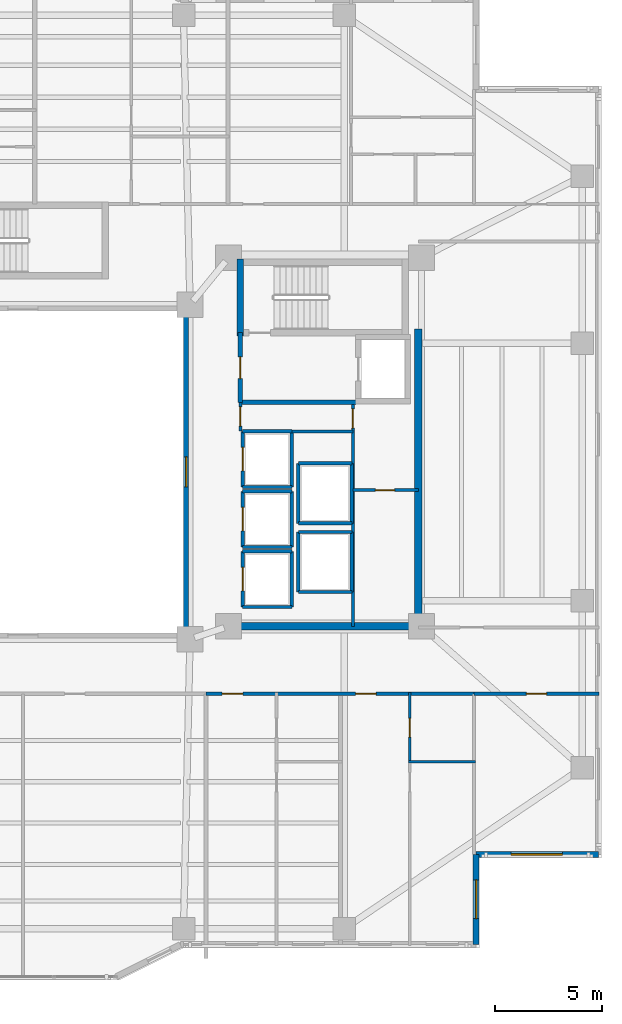
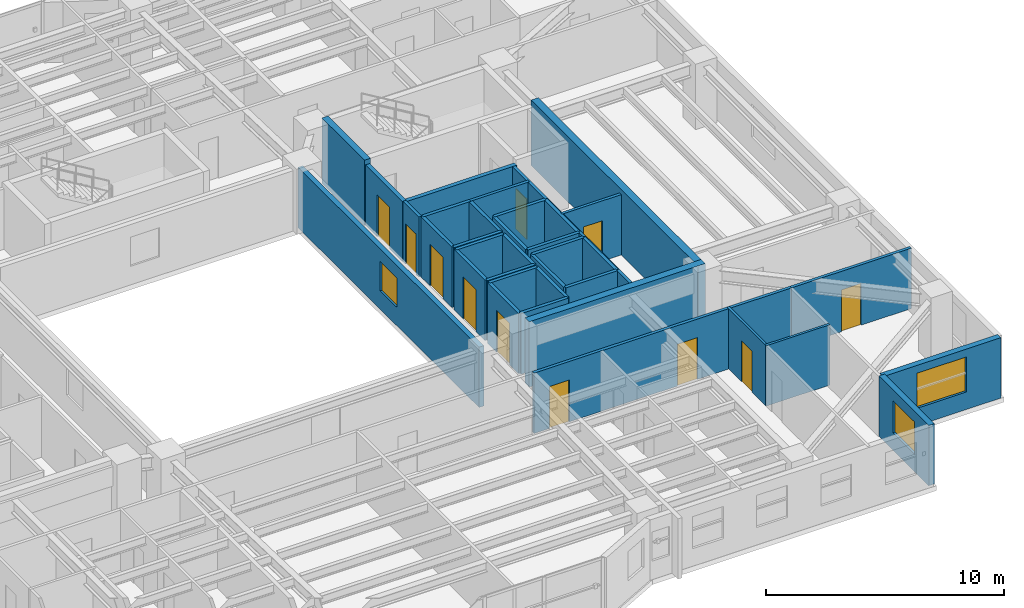
# One storey, part 8 of 18: 36 walls, 11 doors, 3 windows, 14 openings.
"""IFC4 building model written with IfcOpenShell, lengths in metres."""

from ifc_helpers import new_model, si_unit, direction, frame, frame_2d, origin, place, context, subcontext, project, spatial, rectangle, extrude, material, layer, layer_set, type_object, element, fill, save


model = new_model("IFC4")

# Units and contexts
model_context = context("Model", 3, precision=1e-05, world=origin(), true_north=direction((0.0, 1.0)))
body_context = subcontext(model_context, "Body", "Model", "MODEL_VIEW")
ifc_project = project(units=[si_unit("LENGTHUNIT", "METRE"), si_unit("AREAUNIT", "SQUARE_METRE"), si_unit("VOLUMEUNIT", "CUBIC_METRE"), si_unit("PLANEANGLEUNIT", "RADIAN"), si_unit("MASSUNIT", "GRAM", prefix="KILO")], contexts=[model_context])

# Site, building, storey
site_placement = place(None, origin())
site = spatial("IfcSite", under=ifc_project, at=site_placement, CompositionType="ELEMENT")
building_placement = place(site_placement, origin())
building = spatial("IfcBuilding", under=site, at=building_placement, Name="Tarnavaz Court Tower", CompositionType="ELEMENT")
storey_placement = place(building_placement, frame((0.0, 0.0, 98.39990234375)))
storey = spatial("IfcBuildingStorey", under=building, at=storey_placement, Name="L26", CompositionType="ELEMENT", Elevation=98.39990234375)

# Walls
ifc_material_1 = material(Name="Concrete C60/75", Category="concrete")
ifc_layer_1 = layer(ifc_material_1, 0.300048828125)
ifc_layer_set_1 = layer_set([ifc_layer_1], Name="Concrete C60/75")
wall_type_1 = type_object("IfcWallType", Name="WL-CORE-300-C60", PredefinedType="SHEAR", material=ifc_layer_set_1)
wall_1_placement = place(storey_placement, frame((10.14990234375, 6.35009765625, 0.0), z_axis=(0.0, 0.0, 1.0), x_axis=(0.0, 1.0, 0.0)))
element("IfcWall", 1, at=wall_1_placement, inside=storey, type_object=wall_type_1, Name="L26 East Stair Core Wall 007", PredefinedType="SHEAR", context=body_context, shape_type="SweptSolid", body=[
    extrude(rectangle(XDim=3.58984375, YDim=0.300048828125, at=frame_2d((1.794921875, 0.0))), origin(), (0.0, 0.0, 1.0), 3.35009765625),
])
ifc_layer_2 = layer(ifc_material_1, 0.35009765625)
ifc_layer_set_2 = layer_set([ifc_layer_2], Name="Concrete C60/75")
wall_type_2 = type_object("IfcWallType", Name="WL-CORE-350-C60", PredefinedType="SHEAR", material=ifc_layer_set_2)
wall_2_placement = place(storey_placement, frame((18.449951171875, -7.375, 0.0), z_axis=(0.0, 0.0, 1.0), x_axis=(0.0, 1.0, 0.0)))
element("IfcWall", 2, at=wall_2_placement, inside=storey, type_object=wall_type_2, Name="L26 East Core Shear Wall 059", PredefinedType="SHEAR", context=body_context, shape_type="SweptSolid", body=[
    extrude(rectangle(XDim=14.050048828125, YDim=0.35009765625, at=frame_2d((7.02490234375, 0.0))), origin(), (0.0, 0.0, 1.0), 3.35009765625),
])
wall_3_placement = place(storey_placement, frame((10.074951171875, -7.199951171875, 0.0), z_axis=(0.0, 0.0, 1.0), x_axis=(1.0, 0.0, 0.0)))
element("IfcWall", 3, at=wall_3_placement, inside=storey, type_object=wall_type_2, Name="L26 East Core South Shear Wall 060", PredefinedType="SHEAR", context=body_context, shape_type="SweptSolid", body=[
    extrude(rectangle(XDim=8.550048828125, YDim=0.35009765625, at=frame_2d((4.27490234375, 0.0))), origin(), (0.0, 0.0, 1.0), 3.35009765625),
])

# Wall, opening, window
ifc_material_2 = material(Name="Precast Concrete C40/50", Category="concrete")
ifc_layer_3 = layer(ifc_material_2, 0.280029296875)
ifc_layer_set_3 = layer_set([ifc_layer_3], Name="Precast Concrete C40/50")
wall_type_3 = type_object("IfcWallType", Name="WL-EXT-280", PredefinedType="SOLIDWALL", material=ifc_layer_set_3)
wall_4_placement = place(storey_placement, frame((26.85009765625, -17.85009765625, 0.0), z_axis=(0.0, 0.0, 1.0), x_axis=(-1.0, 0.0, 0.0)))
wall_4 = element("IfcWall", 4, at=wall_4_placement, inside=storey, type_object=wall_type_3, Name="L26 Exterior Terracotta Facade Wall 13", PredefinedType="SOLIDWALL", context=body_context, shape_type="SweptSolid", body=[
    extrude(rectangle(XDim=5.7001953125, YDim=0.280029296875, at=frame_2d((2.85009765625, 0.0))), origin(), (0.0, 0.0, 1.0), 3.10009765625),
])
opening_1_placement = place(wall_4_placement, frame((1.675048828125, 0.0, 0.89990234375)))
opening_1 = element("IfcOpeningElement", 5, at=opening_1_placement, cuts=wall_4, Name="Opening W06", PredefinedType="OPENING", context=body_context, shape_type="SweptSolid", body=[
    extrude(rectangle(XDim=2.39990234375, YDim=1.800048828125, at=frame_2d((1.199951171875, 0.89990234375))), frame((0.0, 0.14990234375, 0.0), z_axis=(0.0, -1.0, 0.0), x_axis=(1.0, 0.0, 0.0)), (0.0, 0.0, 1.0), 0.300048828125),
])
ifc_material_3 = material(Name="Double-Glazed Solar Low-E Glass", Category="glass")
window_type_1 = type_object("IfcWindowType", Name="WN-APT-2400", PartitioningType="TRIPLE_PANEL_VERTICAL", PredefinedType="WINDOW", material=ifc_material_3)
window_1_placement = place(opening_1_placement, origin())
window_1 = element("IfcWindow", 6, at=window_1_placement, inside=storey, type_object=window_type_1, Name="L26 South-East Corner Reading Room Window", OverallHeight=1.800048828125, OverallWidth=2.39990234375, PartitioningType="SINGLE_PANEL", PredefinedType="WINDOW", context=body_context, shape_type="SweptSolid", body=[
    extrude(rectangle(XDim=2.39990234375, YDim=1.800048828125, at=frame_2d((1.199951171875, 0.89990234375))), frame((0.0, 0.030029296875, 0.0), z_axis=(0.0, -1.0, 0.0), x_axis=(1.0, 0.0, 0.0)), (0.0, 0.0, 1.0), 0.06005859375),
])
fill(opening_1, window_1)

wall_5_placement = place(storey_placement, frame((21.14990234375, -17.85009765625, 0.0), z_axis=(0.0, 0.0, 1.0), x_axis=(0.0, -1.0, 0.0)))
wall_5 = element("IfcWall", 7, at=wall_5_placement, inside=storey, type_object=wall_type_3, Name="L26 Exterior Terracotta Facade Wall 14", PredefinedType="SOLIDWALL", context=body_context, shape_type="SweptSolid", body=[
    extrude(rectangle(XDim=4.199951171875, YDim=0.280029296875, at=frame_2d((2.10009765625, 0.0))), origin(), (0.0, 0.0, 1.0), 3.10009765625),
])
opening_2_placement = place(wall_5_placement, frame((1.18212890625, 0.0, 0.89990234375)))
opening_2 = element("IfcOpeningElement", 8, at=opening_2_placement, cuts=wall_5, Name="Opening W01", PredefinedType="OPENING", context=body_context, shape_type="SweptSolid", body=[
    extrude(rectangle(XDim=1.800048828125, YDim=1.64990234375, at=frame_2d((0.89990234375, 0.824951171875))), frame((0.0, 0.14990234375, 0.0), z_axis=(0.0, -1.0, 0.0), x_axis=(1.0, 0.0, 0.0)), (0.0, 0.0, 1.0), 0.300048828125),
])
window_type_2 = type_object("IfcWindowType", Name="WN-APT-1800", PartitioningType="DOUBLE_PANEL_VERTICAL", PredefinedType="WINDOW", material=ifc_material_3)
window_2_placement = place(opening_2_placement, origin())
window_2 = element("IfcWindow", 9, at=window_2_placement, inside=storey, type_object=window_type_2, Name="L26 Flat 08 Kitchen Window", OverallHeight=1.64990234375, OverallWidth=1.800048828125, PartitioningType="SINGLE_PANEL", PredefinedType="WINDOW", context=body_context, shape_type="SweptSolid", body=[
    extrude(rectangle(XDim=1.800048828125, YDim=1.64990234375, at=frame_2d((0.89990234375, 0.824951171875))), frame((0.0, 0.030029296875, 0.0), z_axis=(0.0, -1.0, 0.0), x_axis=(1.0, 0.0, 0.0)), (0.0, 0.0, 1.0), 0.06005859375),
])
fill(opening_2, window_2)

# Wall, openings, doors
ifc_material_4 = material(Name="Gypsum Fire-Board on Acoustic Metal Stud", Category="masonry")
ifc_layer_4 = layer(ifc_material_4, 0.14990234375)
ifc_layer_set_4 = layer_set([ifc_layer_4], Name="Gypsum Fire-Board on Acoustic Metal Stud")
wall_type_4 = type_object("IfcWallType", Name="WL-FIRE-150", PredefinedType="PARTITIONING", material=ifc_layer_set_4)
wall_6_placement = place(storey_placement, frame((8.550048828125, -10.35009765625, 0.0), z_axis=(0.0, 0.0, 1.0), x_axis=(1.0, 0.0, 0.0)))
wall_6 = element("IfcWall", 10, at=wall_6_placement, inside=storey, type_object=wall_type_4, Name="L26 SE Horseshoe Wall 074", PredefinedType="PARTITIONING", context=body_context, shape_type="SweptSolid", body=[
    extrude(rectangle(XDim=12.5, YDim=0.14990234375, at=frame_2d((6.25, 0.0))), origin(), (0.0, 0.0, 1.0), 3.10009765625),
])
opening_3_placement = place(wall_6_placement, frame((0.75, 0.0, 0.0)))
opening_3 = element("IfcOpeningElement", 11, at=opening_3_placement, cuts=wall_6, Name="Opening D06", PredefinedType="OPENING", context=body_context, shape_type="SweptSolid", body=[
    extrude(rectangle(XDim=0.9599609375, YDim=2.14990234375, at=frame_2d((0.47998046875, 1.074951171875))), frame((0.0, 0.0849609375, 0.0), z_axis=(0.0, -1.0, 0.0), x_axis=(1.0, 0.0, 0.0)), (0.0, 0.0, 1.0), 0.169921875),
])
opening_4_placement = place(wall_6_placement, frame((6.97509765625, 0.0, 0.0)))
opening_4 = element("IfcOpeningElement", 12, at=opening_4_placement, cuts=wall_6, Name="Opening D06", PredefinedType="OPENING", context=body_context, shape_type="SweptSolid", body=[
    extrude(rectangle(XDim=0.9599609375, YDim=2.14990234375, at=frame_2d((0.47998046875, 1.074951171875))), frame((0.0, 0.0849609375, 0.0), z_axis=(0.0, -1.0, 0.0), x_axis=(1.0, 0.0, 0.0)), (0.0, 0.0, 1.0), 0.169921875),
])
ifc_material_5 = material(Name="Fire-Rated Hardwood Timber Core", Category="wood")
door_type_1 = type_object("IfcDoorType", Name="DR-FD60-950", OperationType="NOTDEFINED", PredefinedType="DOOR", material=ifc_material_5)
door_1_placement = place(opening_3_placement, origin())
door_1 = element("IfcDoor", 13, at=door_1_placement, inside=storey, type_object=door_type_1, Name="L26 Flat 07 Entrance Door", OperationType="SINGLE_SWING_LEFT", OverallHeight=2.14990234375, OverallWidth=0.9599609375, PredefinedType="DOOR", context=body_context, shape_type="SweptSolid", body=[
    extrude(rectangle(XDim=0.9599609375, YDim=2.14990234375, at=frame_2d((0.47998046875, 1.074951171875))), frame((0.0, 0.02490234375, 0.0), z_axis=(0.0, -1.0, 0.0), x_axis=(1.0, 0.0, 0.0)), (0.0, 0.0, 1.0), 0.050048828125),
])
fill(opening_3, door_1)
door_2_placement = place(opening_4_placement, origin())
door_2 = element("IfcDoor", 14, at=door_2_placement, inside=storey, type_object=door_type_1, Name="L26 Flat 08 Entrance Door", OperationType="SINGLE_SWING_RIGHT", OverallHeight=2.14990234375, OverallWidth=0.9599609375, PredefinedType="DOOR", context=body_context, shape_type="SweptSolid", body=[
    extrude(rectangle(XDim=0.9599609375, YDim=2.14990234375, at=frame_2d((0.47998046875, 1.074951171875))), frame((0.0, 0.02490234375, 0.0), z_axis=(0.0, -1.0, 0.0), x_axis=(1.0, 0.0, 0.0)), (0.0, 0.0, 1.0), 0.050048828125),
])
fill(opening_4, door_2)

# Wall, opening, door
wall_7_placement = place(storey_placement, frame((21.050048828125, -10.35009765625, 0.0), z_axis=(0.0, 0.0, 1.0), x_axis=(1.0, 0.0, 0.0)))
wall_7 = element("IfcWall", 15, at=wall_7_placement, inside=storey, type_object=wall_type_4, Name="L26 Interior Partition 123", PredefinedType="PARTITIONING", context=body_context, shape_type="SweptSolid", body=[
    extrude(rectangle(XDim=5.829833984375, YDim=0.14990234375, at=frame_2d((2.9150390625, 0.0))), origin(), (0.0, 0.0, 1.0), 3.10009765625),
])
opening_5_placement = place(wall_7_placement, frame((2.43994140625, 0.0, 0.0)))
opening_5 = element("IfcOpeningElement", 16, at=opening_5_placement, cuts=wall_7, Name="Opening D13", PredefinedType="OPENING", context=body_context, shape_type="SweptSolid", body=[
    extrude(rectangle(XDim=0.949951171875, YDim=2.14990234375, at=frame_2d((0.47509765625, 1.074951171875))), frame((0.0, 0.0849609375, 0.0), z_axis=(0.0, -1.0, 0.0), x_axis=(1.0, 0.0, 0.0)), (0.0, 0.0, 1.0), 0.169921875),
])
ifc_material_6 = material(Name="Engineered Oak Timber", Category="wood")
door_type_2 = type_object("IfcDoorType", Name="DR-INT-950", OperationType="NOTDEFINED", PredefinedType="DOOR", material=ifc_material_6)
door_3_placement = place(opening_5_placement, origin())
door_3 = element("IfcDoor", 17, at=door_3_placement, inside=storey, type_object=door_type_2, Name="L26 SE Reading Room Door", OperationType="SINGLE_SWING_RIGHT", OverallHeight=2.14990234375, OverallWidth=0.949951171875, PredefinedType="DOOR", context=body_context, shape_type="SweptSolid", body=[
    extrude(rectangle(XDim=0.949951171875, YDim=2.14990234375, at=frame_2d((0.47509765625, 1.074951171875))), frame((0.0, 0.02490234375, 0.0), z_axis=(0.0, -1.0, 0.0), x_axis=(1.0, 0.0, 0.0)), (0.0, 0.0, 1.0), 0.050048828125),
])
fill(opening_5, door_3)

# Wall
ifc_material_7 = material(Name="Autoclaved Aerated Concrete Blockwork", Category="masonry")
ifc_layer_5 = layer(ifc_material_7, 0.199951171875)
ifc_layer_set_5 = layer_set([ifc_layer_5], Name="Autoclaved Aerated Concrete Blockwork")
wall_type_5 = type_object("IfcWallType", Name="WL-FIRE-200", PredefinedType="SOLIDWALL", material=ifc_layer_set_5)
wall_8_placement = place(storey_placement, frame((10.14990234375, 3.25, 0.0), z_axis=(0.0, 0.0, 1.0), x_axis=(1.0, 0.0, 0.0)))
element("IfcWall", 18, at=wall_8_placement, inside=storey, type_object=wall_type_5, Name="L26 East Firefighting Lobby Wall 015", PredefinedType="SOLIDWALL", context=body_context, shape_type="SweptSolid", body=[
    extrude(rectangle(XDim=5.400146484375, YDim=0.199951171875, at=frame_2d((2.7001953125, 0.0))), origin(), (0.0, 0.0, 1.0), 3.10009765625),
])

# Wall, opening, door
wall_9_placement = place(storey_placement, frame((10.14990234375, 3.25, 0.0), z_axis=(0.0, 0.0, 1.0), x_axis=(0.0, 1.0, 0.0)))
wall_9 = element("IfcWall", 19, at=wall_9_placement, inside=storey, type_object=wall_type_5, Name="L26 East Firefighting Lobby Wall 016", PredefinedType="SOLIDWALL", context=body_context, shape_type="SweptSolid", body=[
    extrude(rectangle(XDim=3.25, YDim=0.199951171875, at=frame_2d((1.625, 0.0))), origin(), (0.0, 0.0, 1.0), 3.10009765625),
])
opening_6_placement = place(wall_9_placement, frame((1.10009765625, 0.0, 0.0)))
opening_6 = element("IfcOpeningElement", 20, at=opening_6_placement, cuts=wall_9, Name="Opening D05", PredefinedType="OPENING", context=body_context, shape_type="SweptSolid", body=[
    extrude(rectangle(XDim=1.02001953125, YDim=2.14990234375, at=frame_2d((0.510009765625, 1.074951171875))), frame((0.0, 0.10986328125, 0.0), z_axis=(0.0, -1.0, 0.0), x_axis=(1.0, 0.0, 0.0)), (0.0, 0.0, 1.0), 0.219970703125),
])
door_type_3 = type_object("IfcDoorType", Name="DR-FD60-1000", OperationType="NOTDEFINED", PredefinedType="DOOR", material=ifc_material_5)
door_4_placement = place(opening_6_placement, origin())
door_4 = element("IfcDoor", 21, at=door_4_placement, inside=storey, type_object=door_type_3, Name="L26 East Firefighting Lobby Door", OperationType="SINGLE_SWING_LEFT", OverallHeight=2.14990234375, OverallWidth=1.02001953125, PredefinedType="DOOR", context=body_context, shape_type="SweptSolid", body=[
    extrude(rectangle(XDim=1.02001953125, YDim=2.14990234375, at=frame_2d((0.510009765625, 1.074951171875))), frame((0.0, 0.02490234375, 0.0), z_axis=(0.0, -1.0, 0.0), x_axis=(1.0, 0.0, 0.0)), (0.0, 0.0, 1.0), 0.050048828125),
])
fill(opening_6, door_4)

ifc_material_8 = material(Name="Moisture-Resistant Gypsum Board Partition", Category="masonry")
ifc_layer_6 = layer(ifc_material_8, 0.1201171875)
ifc_layer_set_6 = layer_set([ifc_layer_6], Name="Moisture-Resistant Gypsum Board Partition")
wall_type_6 = type_object("IfcWallType", Name="WL-PART-120", PredefinedType="PARTITIONING", material=ifc_layer_set_6)
wall_10_placement = place(storey_placement, frame((18.06005859375, -13.510009765625, 0.0), z_axis=(0.0, 0.0, 1.0), x_axis=(0.0, 1.0, 0.0)))
wall_10 = element("IfcWall", 22, at=wall_10_placement, inside=storey, type_object=wall_type_6, Name="L26 Interior Partition 106", PredefinedType="PARTITIONING", context=body_context, shape_type="SweptSolid", body=[
    extrude(rectangle(XDim=3.219970703125, YDim=0.1201171875, at=frame_2d((1.60986328125, 0.0))), origin(), (0.0, 0.0, 1.0), 3.10009765625),
])
opening_7_placement = place(wall_10_placement, frame((1.139892578125, 0.0, 0.0)))
opening_7 = element("IfcOpeningElement", 23, at=opening_7_placement, cuts=wall_10, Name="Opening D14", PredefinedType="OPENING", context=body_context, shape_type="SweptSolid", body=[
    extrude(rectangle(XDim=0.8798828125, YDim=2.10009765625, at=frame_2d((0.43994140625, 1.050048828125))), frame((0.0, 0.070068359375, 0.0), z_axis=(0.0, -1.0, 0.0), x_axis=(1.0, 0.0, 0.0)), (0.0, 0.0, 1.0), 0.14013671875),
])
door_type_4 = type_object("IfcDoorType", Name="DR-INT-900", OperationType="NOTDEFINED", PredefinedType="DOOR", material=ifc_material_6)
door_5_placement = place(opening_7_placement, origin())
door_5 = element("IfcDoor", 24, at=door_5_placement, inside=storey, type_object=door_type_4, Name="L26 Flat 08 Bathroom Door", OperationType="SINGLE_SWING_RIGHT", OverallHeight=2.10009765625, OverallWidth=0.8798828125, PredefinedType="DOOR", context=body_context, shape_type="SweptSolid", body=[
    extrude(rectangle(XDim=0.8798828125, YDim=2.10009765625, at=frame_2d((0.43994140625, 1.050048828125))), frame((0.0, 0.02490234375, 0.0), z_axis=(0.0, -1.0, 0.0), x_axis=(1.0, 0.0, 0.0)), (0.0, 0.0, 1.0), 0.050048828125),
])
fill(opening_7, door_5)

# Walls
wall_11_placement = place(storey_placement, frame((18.0, -13.510009765625, 0.0), z_axis=(0.0, 0.0, 1.0), x_axis=(1.0, 0.0, 0.0)))
element("IfcWall", 25, at=wall_11_placement, inside=storey, type_object=wall_type_6, Name="L26 Interior Partition 107", PredefinedType="PARTITIONING", context=body_context, shape_type="SweptSolid", body=[
    extrude(rectangle(XDim=3.110107421875, YDim=0.1201171875, at=frame_2d((1.55517578125, 0.0))), origin(), (0.0, 0.0, 1.0), 3.10009765625),
])
ifc_material_9 = material(Name="Gypsum Plasterboard Acoustic Partition", Category="masonry")
ifc_layer_7 = layer(ifc_material_9, 0.139892578125)
ifc_layer_set_7 = layer_set([ifc_layer_7], Name="Gypsum Plasterboard Acoustic Partition")
wall_type_7 = type_object("IfcWallType", Name="WL-PART-150", PredefinedType="PARTITIONING", material=ifc_layer_set_7)
wall_12_placement = place(storey_placement, frame((12.550048828125, 1.89990234375, 0.0), z_axis=(0.0, 0.0, 1.0), x_axis=(1.0, 0.0, 0.0)))
element("IfcWall", 26, at=wall_12_placement, inside=storey, type_object=wall_type_7, Name="L26 Interior Partition 067", PredefinedType="PARTITIONING", context=body_context, shape_type="SweptSolid", body=[
    extrude(rectangle(XDim=2.849853515625, YDim=0.139892578125, at=frame_2d((1.4248046875, 0.0))), origin(), (0.0, 0.0, 1.0), 3.10009765625),
])

# Wall, opening, door
wall_13_placement = place(storey_placement, frame((10.14990234375, 1.919921875, 0.0), z_axis=(0.0, 0.0, 1.0), x_axis=(0.0, 1.0, 0.0)))
wall_13 = element("IfcWall", 27, at=wall_13_placement, inside=storey, type_object=wall_type_7, Name="L26 Interior Partition 068", PredefinedType="PARTITIONING", context=body_context, shape_type="SweptSolid", body=[
    extrude(rectangle(XDim=1.330078125, YDim=0.139892578125, at=frame_2d((0.6650390625, 0.0))), origin(), (0.0, 0.0, 1.0), 3.10009765625),
])
opening_8_placement = place(wall_13_placement, frame((0.219970703125, 0.0, 0.0)))
opening_8 = element("IfcOpeningElement", 28, at=opening_8_placement, cuts=wall_13, Name="Opening D09", PredefinedType="OPENING", context=body_context, shape_type="SweptSolid", body=[
    extrude(rectangle(XDim=0.89990234375, YDim=2.080078125, at=frame_2d((0.449951171875, 1.0400390625))), frame((0.0, 0.079833984375, 0.0), z_axis=(0.0, -1.0, 0.0), x_axis=(1.0, 0.0, 0.0)), (0.0, 0.0, 1.0), 0.159912109375),
])
door_type_5 = type_object("IfcDoorType", Name="DR-FD30-900", OperationType="NOTDEFINED", PredefinedType="DOOR", material=ifc_material_5)
door_6_placement = place(opening_8_placement, origin())
door_6 = element("IfcDoor", 29, at=door_6_placement, inside=storey, type_object=door_type_5, Name="L26 East Core Service Lobby Door", OperationType="SINGLE_SWING_RIGHT", OverallHeight=2.080078125, OverallWidth=0.89990234375, PredefinedType="DOOR", context=body_context, shape_type="SweptSolid", body=[
    extrude(rectangle(XDim=0.89990234375, YDim=2.080078125, at=frame_2d((0.449951171875, 1.0400390625))), frame((0.0, 0.02490234375, 0.0), z_axis=(0.0, -1.0, 0.0), x_axis=(1.0, 0.0, 0.0)), (0.0, 0.0, 1.0), 0.050048828125),
])
fill(opening_8, door_6)

wall_14_placement = place(storey_placement, frame((15.39990234375, -7.199951171875, 0.0), z_axis=(0.0, 0.0, 1.0), x_axis=(0.0, 1.0, 0.0)))
wall_14 = element("IfcWall", 30, at=wall_14_placement, inside=storey, type_object=wall_type_7, Name="L26 Interior Partition 069", PredefinedType="PARTITIONING", context=body_context, shape_type="SweptSolid", body=[
    extrude(rectangle(XDim=10.449951171875, YDim=0.139892578125, at=frame_2d((5.22509765625, 0.0))), origin(), (0.0, 0.0, 1.0), 3.10009765625),
])
opening_9_placement = place(wall_14_placement, frame((9.25, 0.0, 0.0)))
opening_9 = element("IfcOpeningElement", 31, at=opening_9_placement, cuts=wall_14, Name="Opening D09", PredefinedType="OPENING", context=body_context, shape_type="SweptSolid", body=[
    extrude(rectangle(XDim=0.89990234375, YDim=2.080078125, at=frame_2d((0.449951171875, 1.0400390625))), frame((0.0, 0.079833984375, 0.0), z_axis=(0.0, -1.0, 0.0), x_axis=(1.0, 0.0, 0.0)), (0.0, 0.0, 1.0), 0.159912109375),
])
door_7_placement = place(opening_9_placement, origin())
door_7 = element("IfcDoor", 32, at=door_7_placement, inside=storey, type_object=door_type_5, Name="L26 East Wet Riser Door", OperationType="SINGLE_SWING_LEFT", OverallHeight=2.080078125, OverallWidth=0.89990234375, PredefinedType="DOOR", context=body_context, shape_type="SweptSolid", body=[
    extrude(rectangle(XDim=0.89990234375, YDim=2.080078125, at=frame_2d((0.449951171875, 1.0400390625))), frame((0.0, 0.02490234375, 0.0), z_axis=(0.0, -1.0, 0.0), x_axis=(1.0, 0.0, 0.0)), (0.0, 0.0, 1.0), 0.050048828125),
])
fill(opening_9, door_7)

wall_15_placement = place(storey_placement, frame((15.39990234375, -0.85009765625, 0.0), z_axis=(0.0, 0.0, 1.0), x_axis=(1.0, 0.0, 0.0)))
wall_15 = element("IfcWall", 33, at=wall_15_placement, inside=storey, type_object=wall_type_7, Name="L26 Interior Partition 070", PredefinedType="PARTITIONING", context=body_context, shape_type="SweptSolid", body=[
    extrude(rectangle(XDim=3.050048828125, YDim=0.139892578125, at=frame_2d((1.52490234375, 0.0))), origin(), (0.0, 0.0, 1.0), 3.10009765625),
])
opening_10_placement = place(wall_15_placement, frame((1.050048828125, 0.0, 0.0)))
opening_10 = element("IfcOpeningElement", 34, at=opening_10_placement, cuts=wall_15, Name="Opening D09", PredefinedType="OPENING", context=body_context, shape_type="SweptSolid", body=[
    extrude(rectangle(XDim=0.89990234375, YDim=2.080078125, at=frame_2d((0.449951171875, 1.0400390625))), frame((0.0, 0.079833984375, 0.0), z_axis=(0.0, -1.0, 0.0), x_axis=(1.0, 0.0, 0.0)), (0.0, 0.0, 1.0), 0.159912109375),
])
door_8_placement = place(opening_10_placement, origin())
door_8 = element("IfcDoor", 35, at=door_8_placement, inside=storey, type_object=door_type_5, Name="L26 East Electrical Plant Door", OperationType="SINGLE_SWING_RIGHT", OverallHeight=2.080078125, OverallWidth=0.89990234375, PredefinedType="DOOR", context=body_context, shape_type="SweptSolid", body=[
    extrude(rectangle(XDim=0.89990234375, YDim=2.080078125, at=frame_2d((0.449951171875, 1.0400390625))), frame((0.0, 0.02490234375, 0.0), z_axis=(0.0, -1.0, 0.0), x_axis=(1.0, 0.0, 0.0)), (0.0, 0.0, 1.0), 0.050048828125),
])
fill(opening_10, door_8)

ifc_layer_8 = layer(ifc_material_7, 0.159912109375)
ifc_layer_set_8 = layer_set([ifc_layer_8], Name="Autoclaved Aerated Concrete Blockwork")
wall_type_8 = type_object("IfcWallType", Name="WL-SHAFT-150", PredefinedType="SOLIDWALL", material=ifc_layer_set_8)
wall_16_placement = place(storey_placement, frame((10.25, -6.300048828125, 0.0), z_axis=(0.0, 0.0, 1.0), x_axis=(0.0, 1.0, 0.0)))
wall_16 = element("IfcWall", 36, at=wall_16_placement, inside=storey, type_object=wall_type_8, Name="L26 Lift PL-M1 Shaft Wall 037", PredefinedType="SOLIDWALL", context=body_context, shape_type="SweptSolid", body=[
    extrude(rectangle(XDim=2.60009765625, YDim=0.159912109375, at=frame_2d((1.300048828125, 0.0))), origin(), (0.0, 0.0, 1.0), 3.10009765625),
])
opening_11_placement = place(wall_16_placement, frame((0.75, 0.0, 0.0)))
opening_11 = element("IfcOpeningElement", 37, at=opening_11_placement, cuts=wall_16, Name="Opening LD1", PredefinedType="OPENING", context=body_context, shape_type="SweptSolid", body=[
    extrude(rectangle(XDim=1.10009765625, YDim=2.14990234375, at=frame_2d((0.550048828125, 1.074951171875))), frame((0.0, 0.08984375, 0.0), z_axis=(0.0, -1.0, 0.0), x_axis=(1.0, 0.0, 0.0)), (0.0, 0.0, 1.0), 0.179931640625),
])
ifc_material_10 = material(Name="Stainless Steel", Category="steel")
door_type_6 = type_object("IfcDoorType", Name="DR-LD-1100", OperationType="NOTDEFINED", PredefinedType="DOOR", material=ifc_material_10)
door_9_placement = place(opening_11_placement, origin())
door_9 = element("IfcDoor", 38, at=door_9_placement, inside=storey, type_object=door_type_6, Name="L26 Lift Landing Door LD-PL-M1", OperationType="SLIDING_TO_LEFT", OverallHeight=2.14990234375, OverallWidth=1.10009765625, PredefinedType="DOOR", context=body_context, shape_type="SweptSolid", body=[
    extrude(rectangle(XDim=1.10009765625, YDim=2.14990234375, at=frame_2d((0.550048828125, 1.074951171875))), frame((0.0, 0.02490234375, 0.0), z_axis=(0.0, -1.0, 0.0), x_axis=(1.0, 0.0, 0.0)), (0.0, 0.0, 1.0), 0.050048828125),
])
fill(opening_11, door_9)

# Walls
wall_17_placement = place(storey_placement, frame((12.550048828125, -6.300048828125, 0.0), z_axis=(0.0, 0.0, 1.0), x_axis=(0.0, 1.0, 0.0)))
element("IfcWall", 39, at=wall_17_placement, inside=storey, type_object=wall_type_8, Name="L26 Lift PL-M1 Shaft Wall 038", PredefinedType="SOLIDWALL", context=body_context, shape_type="SweptSolid", body=[
    extrude(rectangle(XDim=2.60009765625, YDim=0.159912109375, at=frame_2d((1.300048828125, 0.0))), origin(), (0.0, 0.0, 1.0), 3.10009765625),
])
for number, where, z_axis, x_axis, name in (
    (40, (10.25, -6.300048828125, 0.0), (0.0, 0.0, 1.0), (1.0, 0.0, 0.0), "L26 Lift PL-M1 Shaft Wall 039"),
    (41, (10.25, -3.699951171875, 0.0), (0.0, 0.0, 1.0), (1.0, 0.0, 0.0), "L26 Lift PL-M1 Shaft Wall 040"),
):
    element("IfcWall", number, at=place(storey_placement, frame(where, z_axis=z_axis, x_axis=x_axis)), inside=storey, type_object=wall_type_8, Name=name, PredefinedType="SOLIDWALL", context=body_context, shape_type="SweptSolid", body=[
        extrude(rectangle(XDim=2.300048828125, YDim=0.159912109375, at=frame_2d((1.14990234375, 0.0))), origin(), (0.0, 0.0, 1.0), 3.10009765625),
    ])

# Wall, opening, door
wall_18_placement = place(storey_placement, frame((10.25, -3.5, 0.0), z_axis=(0.0, 0.0, 1.0), x_axis=(0.0, 1.0, 0.0)))
wall_18 = element("IfcWall", 42, at=wall_18_placement, inside=storey, type_object=wall_type_8, Name="L26 Lift PL-M2 Shaft Wall 041", PredefinedType="SOLIDWALL", context=body_context, shape_type="SweptSolid", body=[
    extrude(rectangle(XDim=2.60009765625, YDim=0.159912109375, at=frame_2d((1.300048828125, 0.0))), origin(), (0.0, 0.0, 1.0), 3.10009765625),
])
opening_12_placement = place(wall_18_placement, frame((0.75, 0.0, 0.0)))
opening_12 = element("IfcOpeningElement", 43, at=opening_12_placement, cuts=wall_18, Name="Opening LD1", PredefinedType="OPENING", context=body_context, shape_type="SweptSolid", body=[
    extrude(rectangle(XDim=1.10009765625, YDim=2.14990234375, at=frame_2d((0.550048828125, 1.074951171875))), frame((0.0, 0.08984375, 0.0), z_axis=(0.0, -1.0, 0.0), x_axis=(1.0, 0.0, 0.0)), (0.0, 0.0, 1.0), 0.179931640625),
])
door_10_placement = place(opening_12_placement, origin())
door_10 = element("IfcDoor", 44, at=door_10_placement, inside=storey, type_object=door_type_6, Name="L26 Lift Landing Door LD-PL-M2", OperationType="SLIDING_TO_LEFT", OverallHeight=2.14990234375, OverallWidth=1.10009765625, PredefinedType="DOOR", context=body_context, shape_type="SweptSolid", body=[
    extrude(rectangle(XDim=1.10009765625, YDim=2.14990234375, at=frame_2d((0.550048828125, 1.074951171875))), frame((0.0, 0.02490234375, 0.0), z_axis=(0.0, -1.0, 0.0), x_axis=(1.0, 0.0, 0.0)), (0.0, 0.0, 1.0), 0.050048828125),
])
fill(opening_12, door_10)

# Walls
wall_19_placement = place(storey_placement, frame((12.550048828125, -3.5, 0.0), z_axis=(0.0, 0.0, 1.0), x_axis=(0.0, 1.0, 0.0)))
element("IfcWall", 45, at=wall_19_placement, inside=storey, type_object=wall_type_8, Name="L26 Lift PL-M2 Shaft Wall 042", PredefinedType="SOLIDWALL", context=body_context, shape_type="SweptSolid", body=[
    extrude(rectangle(XDim=2.60009765625, YDim=0.159912109375, at=frame_2d((1.300048828125, 0.0))), origin(), (0.0, 0.0, 1.0), 3.10009765625),
])
for number, where, z_axis, x_axis, name in (
    (46, (10.25, -3.5, 0.0), (0.0, 0.0, 1.0), (1.0, 0.0, 0.0), "L26 Lift PL-M2 Shaft Wall 043"),
    (47, (10.25, -0.89990234375, 0.0), (0.0, 0.0, 1.0), (1.0, 0.0, 0.0), "L26 Lift PL-M2 Shaft Wall 044"),
):
    element("IfcWall", number, at=place(storey_placement, frame(where, z_axis=z_axis, x_axis=x_axis)), inside=storey, type_object=wall_type_8, Name=name, PredefinedType="SOLIDWALL", context=body_context, shape_type="SweptSolid", body=[
        extrude(rectangle(XDim=2.300048828125, YDim=0.159912109375, at=frame_2d((1.14990234375, 0.0))), origin(), (0.0, 0.0, 1.0), 3.10009765625),
    ])

# Wall, opening, door
wall_20_placement = place(storey_placement, frame((10.25, -0.699951171875, 0.0), z_axis=(0.0, 0.0, 1.0), x_axis=(0.0, 1.0, 0.0)))
wall_20 = element("IfcWall", 48, at=wall_20_placement, inside=storey, type_object=wall_type_8, Name="L26 Lift PL-M3 Shaft Wall 045", PredefinedType="SOLIDWALL", context=body_context, shape_type="SweptSolid", body=[
    extrude(rectangle(XDim=2.599853515625, YDim=0.159912109375, at=frame_2d((1.2998046875, 0.0))), origin(), (0.0, 0.0, 1.0), 3.10009765625),
])
opening_13_placement = place(wall_20_placement, frame((0.75, 0.0, 0.0)))
opening_13 = element("IfcOpeningElement", 49, at=opening_13_placement, cuts=wall_20, Name="Opening LD1", PredefinedType="OPENING", context=body_context, shape_type="SweptSolid", body=[
    extrude(rectangle(XDim=1.10009765625, YDim=2.14990234375, at=frame_2d((0.550048828125, 1.074951171875))), frame((0.0, 0.08984375, 0.0), z_axis=(0.0, -1.0, 0.0), x_axis=(1.0, 0.0, 0.0)), (0.0, 0.0, 1.0), 0.179931640625),
])
door_11_placement = place(opening_13_placement, origin())
door_11 = element("IfcDoor", 50, at=door_11_placement, inside=storey, type_object=door_type_6, Name="L26 Lift Landing Door LD-PL-M3", OperationType="SLIDING_TO_LEFT", OverallHeight=2.14990234375, OverallWidth=1.10009765625, PredefinedType="DOOR", context=body_context, shape_type="SweptSolid", body=[
    extrude(rectangle(XDim=1.10009765625, YDim=2.14990234375, at=frame_2d((0.550048828125, 1.074951171875))), frame((0.0, 0.02490234375, 0.0), z_axis=(0.0, -1.0, 0.0), x_axis=(1.0, 0.0, 0.0)), (0.0, 0.0, 1.0), 0.050048828125),
])
fill(opening_13, door_11)

# Walls
wall_21_placement = place(storey_placement, frame((12.550048828125, -0.699951171875, 0.0), z_axis=(0.0, 0.0, 1.0), x_axis=(0.0, 1.0, 0.0)))
element("IfcWall", 51, at=wall_21_placement, inside=storey, type_object=wall_type_8, Name="L26 Lift PL-M3 Shaft Wall 046", PredefinedType="SOLIDWALL", context=body_context, shape_type="SweptSolid", body=[
    extrude(rectangle(XDim=2.599853515625, YDim=0.159912109375, at=frame_2d((1.2998046875, 0.0))), origin(), (0.0, 0.0, 1.0), 3.10009765625),
])
for number, where, z_axis, x_axis, name in (
    (52, (10.25, -0.699951171875, 0.0), (0.0, 0.0, 1.0), (1.0, 0.0, 0.0), "L26 Lift PL-M3 Shaft Wall 047"),
    (53, (10.25, 1.89990234375, 0.0), (0.0, 0.0, 1.0), (1.0, 0.0, 0.0), "L26 Lift PL-M3 Shaft Wall 048"),
):
    element("IfcWall", number, at=place(storey_placement, frame(where, z_axis=z_axis, x_axis=x_axis)), inside=storey, type_object=wall_type_8, Name=name, PredefinedType="SOLIDWALL", context=body_context, shape_type="SweptSolid", body=[
        extrude(rectangle(XDim=2.300048828125, YDim=0.159912109375, at=frame_2d((1.14990234375, 0.0))), origin(), (0.0, 0.0, 1.0), 3.10009765625),
    ])
for number, where, z_axis, x_axis, name in (
    (54, (12.85009765625, -5.60009765625, 0.0), (0.0, 0.0, 1.0), (0.0, 1.0, 0.0), "L26 Lift PL-OB1 Shaft Wall 049"),
    (55, (15.35009765625, -5.60009765625, 0.0), (0.0, 0.0, 1.0), (0.0, 1.0, 0.0), "L26 Lift PL-OB1 Shaft Wall 050"),
):
    element("IfcWall", number, at=place(storey_placement, frame(where, z_axis=z_axis, x_axis=x_axis)), inside=storey, type_object=wall_type_8, Name=name, PredefinedType="SOLIDWALL", context=body_context, shape_type="SweptSolid", body=[
        extrude(rectangle(XDim=2.800048828125, YDim=0.159912109375, at=frame_2d((1.39990234375, 0.0))), origin(), (0.0, 0.0, 1.0), 3.10009765625),
    ])
for number, where, z_axis, x_axis, name in (
    (56, (12.85009765625, -5.60009765625, 0.0), (0.0, 0.0, 1.0), (1.0, 0.0, 0.0), "L26 Lift PL-OB1 Shaft Wall 051"),
    (57, (12.85009765625, -2.800048828125, 0.0), (0.0, 0.0, 1.0), (1.0, 0.0, 0.0), "L26 Lift PL-OB1 Shaft Wall 052"),
):
    element("IfcWall", number, at=place(storey_placement, frame(where, z_axis=z_axis, x_axis=x_axis)), inside=storey, type_object=wall_type_8, Name=name, PredefinedType="SOLIDWALL", context=body_context, shape_type="SweptSolid", body=[
        extrude(rectangle(XDim=2.5, YDim=0.159912109375, at=frame_2d((1.25, 0.0))), origin(), (0.0, 0.0, 1.0), 3.10009765625),
    ])
for number, where, z_axis, x_axis, name in (
    (58, (12.85009765625, -2.39990234375, 0.0), (0.0, 0.0, 1.0), (0.0, 1.0, 0.0), "L26 Lift PL-OB2 Shaft Wall 053"),
    (59, (15.35009765625, -2.39990234375, 0.0), (0.0, 0.0, 1.0), (0.0, 1.0, 0.0), "L26 Lift PL-OB2 Shaft Wall 054"),
):
    element("IfcWall", number, at=place(storey_placement, frame(where, z_axis=z_axis, x_axis=x_axis)), inside=storey, type_object=wall_type_8, Name=name, PredefinedType="SOLIDWALL", context=body_context, shape_type="SweptSolid", body=[
        extrude(rectangle(XDim=2.7998046875, YDim=0.159912109375, at=frame_2d((1.39990234375, 0.0))), origin(), (0.0, 0.0, 1.0), 3.10009765625),
    ])
for number, where, z_axis, x_axis, name in (
    (60, (12.85009765625, -2.39990234375, 0.0), (0.0, 0.0, 1.0), (1.0, 0.0, 0.0), "L26 Lift PL-OB2 Shaft Wall 055"),
    (61, (12.85009765625, 0.39990234375, 0.0), (0.0, 0.0, 1.0), (1.0, 0.0, 0.0), "L26 Lift PL-OB2 Shaft Wall 056"),
):
    element("IfcWall", number, at=place(storey_placement, frame(where, z_axis=z_axis, x_axis=x_axis)), inside=storey, type_object=wall_type_8, Name=name, PredefinedType="SOLIDWALL", context=body_context, shape_type="SweptSolid", body=[
        extrude(rectangle(XDim=2.5, YDim=0.159912109375, at=frame_2d((1.25, 0.0))), origin(), (0.0, 0.0, 1.0), 3.10009765625),
    ])

# Wall, opening, window
ifc_layer_9 = layer(ifc_material_2, 0.239990234375)
ifc_layer_set_9 = layer_set([ifc_layer_9], Name="Precast Concrete C40/50")
wall_type_9 = type_object("IfcWallType", Name="WL-WELL-240", PredefinedType="SOLIDWALL", material=ifc_layer_set_9)
wall_22_placement = place(storey_placement, frame((7.6201171875, -7.6201171875, 0.0), z_axis=(0.0, 0.0, 1.0), x_axis=(0.0, 1.0, 0.0)))
wall_22 = element("IfcWall", 62, at=wall_22_placement, inside=storey, type_object=wall_type_9, Name="L26 Badgir Light-Well Exterior Wall E", PredefinedType="SOLIDWALL", context=body_context, shape_type="SweptSolid", body=[
    extrude(rectangle(XDim=15.240234375, YDim=0.239990234375, at=frame_2d((7.6201171875, 0.0))), origin(), (0.0, 0.0, 1.0), 3.10009765625),
])
opening_14_placement = place(wall_22_placement, frame((6.919921875, 0.0, 0.949951171875)))
opening_14 = element("IfcOpeningElement", 63, at=opening_14_placement, cuts=wall_22, Name="Opening W13", PredefinedType="OPENING", context=body_context, shape_type="SweptSolid", body=[
    extrude(rectangle(XDim=1.39990234375, YDim=1.5, at=frame_2d((0.699951171875, 0.75))), frame((0.0, 0.1298828125, 0.0), z_axis=(0.0, -1.0, 0.0), x_axis=(1.0, 0.0, 0.0)), (0.0, 0.0, 1.0), 0.260009765625),
])
window_type_3 = type_object("IfcWindowType", Name="WN-WEL-1400", PartitioningType="SINGLE_PANEL", PredefinedType="WINDOW", material=ifc_material_3)
window_3_placement = place(opening_14_placement, origin())
window_3 = element("IfcWindow", 64, at=window_3_placement, inside=storey, type_object=window_type_3, Name="L26 Courtyard Gallery Window E", OverallHeight=1.5, OverallWidth=1.39990234375, PartitioningType="SINGLE_PANEL", PredefinedType="WINDOW", context=body_context, shape_type="SweptSolid", body=[
    extrude(rectangle(XDim=1.39990234375, YDim=1.5, at=frame_2d((0.699951171875, 0.75))), frame((0.0, 0.030029296875, 0.0), z_axis=(0.0, -1.0, 0.0), x_axis=(1.0, 0.0, 0.0)), (0.0, 0.0, 1.0), 0.06005859375),
])
fill(opening_14, window_3)

save(model, "model.ifc")
